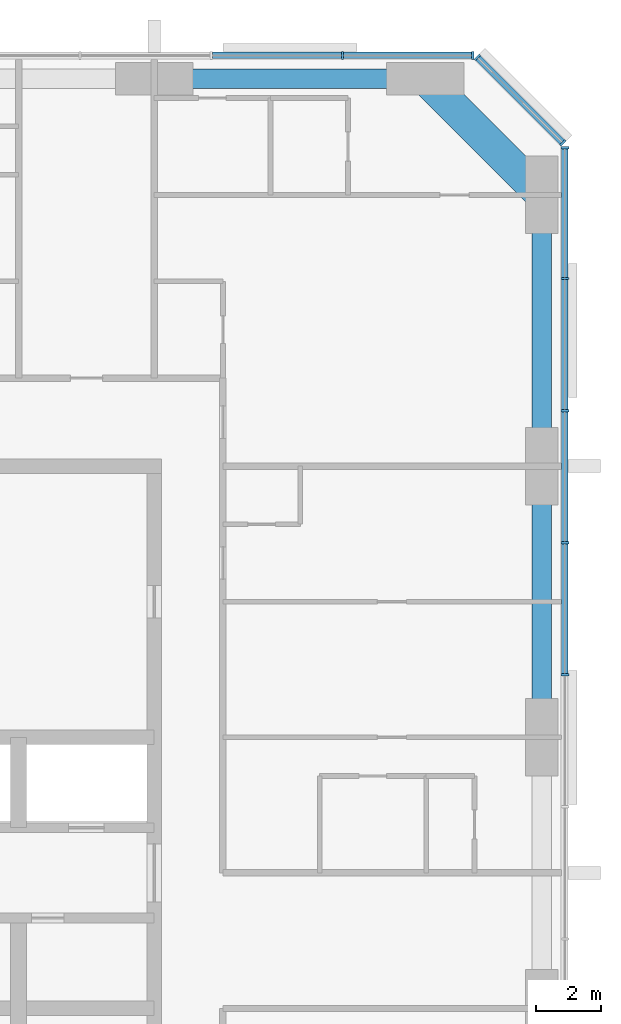
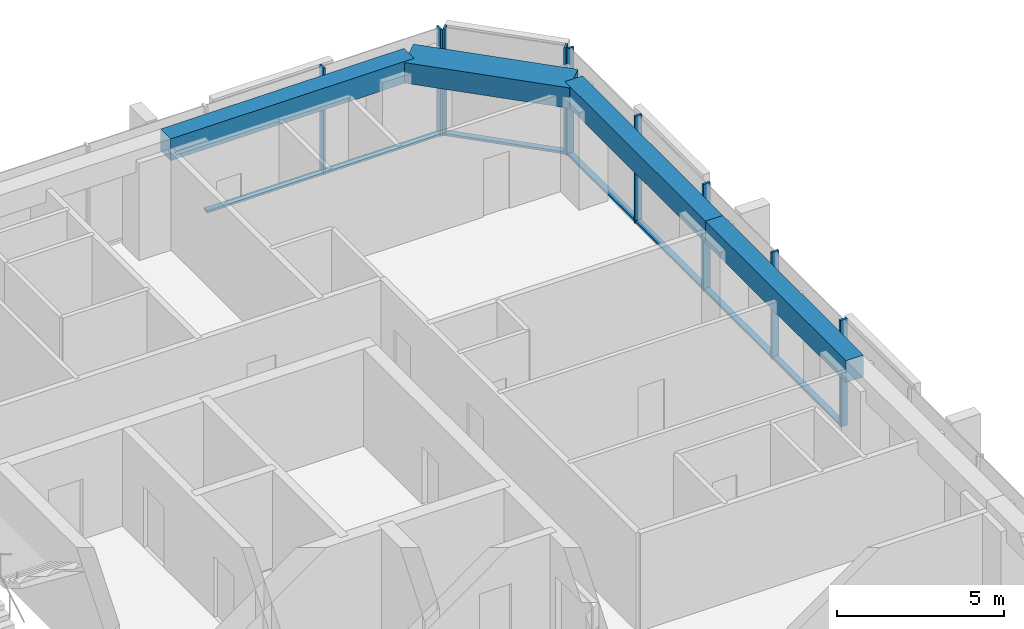
# One storey, part 5 of 12: 16 members, 4 beams, 3 elements without a shape of their own.
"""IFC4 building model written with IfcOpenShell, lengths in metres."""

from ifc_helpers import new_model, si_unit, direction, frame, origin, origin_2d, place, context, subcontext, project, spatial, rectangle, extrude, material, material_profile, profile_set, type_object, element, aggregate, save


model = new_model("IFC4")

# Units and contexts
model_context = context("Model", 3, precision=1e-05, world=origin(), true_north=direction((0.0, 1.0)))
body_context = subcontext(model_context, "Body", "Model", "MODEL_VIEW")
ifc_project = project(units=[si_unit("LENGTHUNIT", "METRE"), si_unit("AREAUNIT", "SQUARE_METRE"), si_unit("VOLUMEUNIT", "CUBIC_METRE"), si_unit("PLANEANGLEUNIT", "RADIAN"), si_unit("MASSUNIT", "GRAM", prefix="KILO")], contexts=[model_context])

# Site, building, storey
site_placement = place(None, origin())
site = spatial("IfcSite", under=ifc_project, at=site_placement, CompositionType="ELEMENT")
building_placement = place(site_placement, origin())
building = spatial("IfcBuilding", under=site, at=building_placement, Name="Dunama Terrace Hotel", CompositionType="ELEMENT")
storey_placement = place(building_placement, frame((0.0, 0.0, 245.10009765625)))
storey = spatial("IfcBuildingStorey", under=building, at=storey_placement, Name="L63", CompositionType="ELEMENT", Elevation=245.10009765625)

# Curtain wall, members
ifc_material_1 = material(Name="Aluminium curtain wall system", Category="aluminium")
curtain_wall_type = type_object("IfcCurtainWallType", Name="Unitised fritted glass wall CW-D", PredefinedType="NOTDEFINED", material=ifc_material_1)
curtain_wall_1_placement = place(storey_placement, origin())
curtain_wall_1 = element("IfcCurtainWall", 1, at=curtain_wall_1_placement, inside=storey, type_object=curtain_wall_type, Name="Unitised fritted glass wall CW-D L63", PredefinedType="NOTDEFINED")
ifc_material_2 = material(Name="Aluminium mullion", Category="aluminium")
ifc_material_profile_1 = material_profile(ifc_material_2, rectangle(XDim=0.070068359375, YDim=0.239990234375, at=origin_2d()), Name="CWD MULLION 70X240")
ifc_profile_set_1 = profile_set([ifc_material_profile_1], Name="Aluminium mullion")
member_type_1 = type_object("IfcMemberType", Name="CWD mullion 70x240", PredefinedType="MULLION", material=ifc_profile_set_1)
member_1_placement = place(storey_placement, frame((54.719970703125, 35.535888671875, 0.0), z_axis=(0.0, 0.0, 1.0), x_axis=(0.0, 1.0, 0.0)))
member_1 = element("IfcMember", 2, at=member_1_placement, type_object=member_type_1, Name="CWD mullion", PredefinedType="MULLION", context=body_context, shape_type="SweptSolid", body=[
    extrude(rectangle(XDim=0.070068359375, YDim=0.239990234375, at=origin_2d()), origin(), (0.0, 0.0, 1.0), 3.89990234375),
])
member_2_placement = place(storey_placement, frame((54.719970703125, 39.626953125, 0.0), z_axis=(0.0, 0.0, 1.0), x_axis=(0.0, 1.0, 0.0)))
member_2 = element("IfcMember", 3, at=member_2_placement, type_object=member_type_1, Name="CWD mullion", PredefinedType="MULLION", context=body_context, shape_type="SweptSolid", body=[
    extrude(rectangle(XDim=0.070068359375, YDim=0.239990234375, at=origin_2d()), origin(), (0.0, 0.0, 1.0), 3.89990234375),
])
member_3_placement = place(storey_placement, frame((54.719970703125, 43.718017578125, 0.0), z_axis=(0.0, 0.0, 1.0), x_axis=(0.0, 1.0, 0.0)))
member_3 = element("IfcMember", 4, at=member_3_placement, type_object=member_type_1, Name="CWD mullion", PredefinedType="MULLION", context=body_context, shape_type="SweptSolid", body=[
    extrude(rectangle(XDim=0.070068359375, YDim=0.239990234375, at=origin_2d()), origin(), (0.0, 0.0, 1.0), 3.89990234375),
])
member_4_placement = place(storey_placement, frame((54.719970703125, 47.80908203125, 0.0), z_axis=(0.0, 0.0, 1.0), x_axis=(0.0, 1.0, 0.0)))
member_4 = element("IfcMember", 5, at=member_4_placement, type_object=member_type_1, Name="CWD mullion", PredefinedType="MULLION", context=body_context, shape_type="SweptSolid", body=[
    extrude(rectangle(XDim=0.070068359375, YDim=0.239990234375, at=origin_2d()), origin(), (0.0, 0.0, 1.0), 3.89990234375),
])
member_5_placement = place(storey_placement, frame((54.719970703125, 51.864990234375, 0.0), z_axis=(0.0, 0.0, 1.0), x_axis=(0.0, 1.0, 0.0)))
member_5 = element("IfcMember", 6, at=member_5_placement, type_object=member_type_1, Name="CWD mullion", PredefinedType="MULLION", context=body_context, shape_type="SweptSolid", body=[
    extrude(rectangle(XDim=0.070068359375, YDim=0.239990234375, at=origin_2d()), origin(), (0.0, 0.0, 1.0), 3.89990234375),
])

curtain_wall_2_placement = place(storey_placement, origin())
curtain_wall_2 = element("IfcCurtainWall", 7, at=curtain_wall_2_placement, inside=storey, type_object=curtain_wall_type, Name="Unitised fritted glass wall CW-D L63", PredefinedType="NOTDEFINED")
member_6_placement = place(storey_placement, frame((54.659912109375, 52.010009765625, 0.0), z_axis=(0.0, 0.0, 1.0), x_axis=(-0.707106781187, 0.707106781187, 0.0)))
member_6 = element("IfcMember", 8, at=member_6_placement, type_object=member_type_1, Name="CWD mullion", PredefinedType="MULLION", context=body_context, shape_type="SweptSolid", body=[
    extrude(rectangle(XDim=0.070068359375, YDim=0.239990234375, at=origin_2d()), origin(), (0.0, 0.0, 1.0), 3.89990234375),
])
member_7_placement = place(storey_placement, frame((52.010009765625, 54.659912109375, 0.0), z_axis=(0.0, 0.0, 1.0), x_axis=(-0.707106781187, 0.707106781187, 0.0)))
member_7 = element("IfcMember", 9, at=member_7_placement, type_object=member_type_1, Name="CWD mullion", PredefinedType="MULLION", context=body_context, shape_type="SweptSolid", body=[
    extrude(rectangle(XDim=0.070068359375, YDim=0.239990234375, at=origin_2d()), origin(), (0.0, 0.0, 1.0), 3.89990234375),
])

curtain_wall_3_placement = place(storey_placement, origin())
curtain_wall_3 = element("IfcCurtainWall", 10, at=curtain_wall_3_placement, inside=storey, type_object=curtain_wall_type, Name="Unitised fritted glass wall CW-D L63", PredefinedType="NOTDEFINED")
member_8_placement = place(storey_placement, frame((51.864990234375, 54.719970703125, 0.0), z_axis=(0.0, 0.0, 1.0), x_axis=(-1.0, 0.0, 0.0)))
member_8 = element("IfcMember", 11, at=member_8_placement, type_object=member_type_1, Name="CWD mullion", PredefinedType="MULLION", context=body_context, shape_type="SweptSolid", body=[
    extrude(rectangle(XDim=0.070068359375, YDim=0.239990234375, at=origin_2d()), origin(), (0.0, 0.0, 1.0), 3.89990234375),
])
member_9_placement = place(storey_placement, frame((47.8330078125, 54.719970703125, 0.0), z_axis=(0.0, 0.0, 1.0), x_axis=(-1.0, 0.0, 0.0)))
member_9 = element("IfcMember", 12, at=member_9_placement, type_object=member_type_1, Name="CWD mullion", PredefinedType="MULLION", context=body_context, shape_type="SweptSolid", body=[
    extrude(rectangle(XDim=0.070068359375, YDim=0.239990234375, at=origin_2d()), origin(), (0.0, 0.0, 1.0), 3.89990234375),
])

# Member
ifc_material_3 = material(Name="Aluminium transom", Category="aluminium")
ifc_material_profile_2 = material_profile(ifc_material_3, rectangle(XDim=0.199951171875, YDim=0.0849609375, at=origin_2d()), Name="CWD TRANSOM 200X85")
ifc_profile_set_2 = profile_set([ifc_material_profile_2], Name="Aluminium transom")
member_type_2 = type_object("IfcMemberType", Name="CWD transom 200x85", PredefinedType="USERDEFINED", material=ifc_profile_set_2)
member_10_placement = place(storey_placement, frame((54.719970703125, 35.571044921875, 0.04248046875), z_axis=(0.0, 1.0, 0.0), x_axis=(-1.0, 0.0, 0.0)))
member_10 = element("IfcMember", 13, at=member_10_placement, type_object=member_type_2, Name="CWD transom", ObjectType="TRANSOM", PredefinedType="USERDEFINED", context=body_context, shape_type="SweptSolid", body=[
    extrude(rectangle(XDim=0.199951171875, YDim=0.0849609375, at=origin_2d()), origin(), (0.0, 0.0, 1.0), 4.02099609375),
])

member_11_placement = place(storey_placement, frame((54.719970703125, 39.662109375, 0.04248046875), z_axis=(0.0, 1.0, 0.0), x_axis=(-1.0, 0.0, 0.0)))
member_11 = element("IfcMember", 14, at=member_11_placement, type_object=member_type_2, Name="CWD transom", ObjectType="TRANSOM", PredefinedType="USERDEFINED", context=body_context, shape_type="SweptSolid", body=[
    extrude(rectangle(XDim=0.199951171875, YDim=0.0849609375, at=origin_2d()), origin(), (0.0, 0.0, 1.0), 4.02099609375),
])

member_12_placement = place(storey_placement, frame((54.719970703125, 43.7529296875, 0.04248046875), z_axis=(0.0, 1.0, 0.0), x_axis=(-1.0, 0.0, 0.0)))
member_12 = element("IfcMember", 15, at=member_12_placement, type_object=member_type_2, Name="CWD transom", ObjectType="TRANSOM", PredefinedType="USERDEFINED", context=body_context, shape_type="SweptSolid", body=[
    extrude(rectangle(XDim=0.199951171875, YDim=0.0849609375, at=origin_2d()), origin(), (0.0, 0.0, 1.0), 4.02099609375),
])

member_13_placement = place(storey_placement, frame((54.719970703125, 47.843994140625, 0.04248046875), z_axis=(0.0, 1.0, 0.0), x_axis=(-1.0, 0.0, 0.0)))
member_13 = element("IfcMember", 16, at=member_13_placement, type_object=member_type_2, Name="CWD transom", ObjectType="TRANSOM", PredefinedType="USERDEFINED", context=body_context, shape_type="SweptSolid", body=[
    extrude(rectangle(XDim=0.199951171875, YDim=0.0849609375, at=origin_2d()), origin(), (0.0, 0.0, 1.0), 3.986083984375),
])

aggregate(curtain_wall_1, [member_1, member_2, member_3, member_4, member_5, member_10, member_11, member_12, member_13])

member_14_placement = place(storey_placement, frame((54.635009765625, 52.033935546875, 0.04248046875), z_axis=(-0.707106781187, 0.707106781187, 0.0), x_axis=(-0.707106781187, -0.707106781187, 0.0)))
member_14 = element("IfcMember", 17, at=member_14_placement, type_object=member_type_2, Name="CWD transom", ObjectType="TRANSOM", PredefinedType="USERDEFINED", context=body_context, shape_type="SweptSolid", body=[
    extrude(rectangle(XDim=0.199951171875, YDim=0.0849609375, at=origin_2d()), origin(), (0.0, 0.0, 1.0), 3.678466796875),
])

aggregate(curtain_wall_2, [member_6, member_7, member_14])

member_15_placement = place(storey_placement, frame((51.830078125, 54.719970703125, 0.04248046875), z_axis=(-1.0, 0.0, 0.0), x_axis=(0.0, -1.0, 0.0)))
member_15 = element("IfcMember", 18, at=member_15_placement, type_object=member_type_2, Name="CWD transom", ObjectType="TRANSOM", PredefinedType="USERDEFINED", context=body_context, shape_type="SweptSolid", body=[
    extrude(rectangle(XDim=0.199951171875, YDim=0.0849609375, at=origin_2d()), origin(), (0.0, 0.0, 1.0), 3.962158203125),
])

member_16_placement = place(storey_placement, frame((47.798095703125, 54.719970703125, 0.04248046875), z_axis=(-1.0, 0.0, 0.0), x_axis=(0.0, -1.0, 0.0)))
member_16 = element("IfcMember", 19, at=member_16_placement, type_object=member_type_2, Name="CWD transom", ObjectType="TRANSOM", PredefinedType="USERDEFINED", context=body_context, shape_type="SweptSolid", body=[
    extrude(rectangle(XDim=0.199951171875, YDim=0.0849609375, at=origin_2d()), origin(), (0.0, 0.0, 1.0), 3.99609375),
])

aggregate(curtain_wall_3, [member_8, member_9, member_15, member_16])

# Beams
ifc_material_4 = material(Name="Concrete C50/60", Category="concrete")
ifc_material_profile_3 = material_profile(ifc_material_4, rectangle(XDim=1.0, YDim=0.75, at=origin_2d()), Name="RC 1000x750")
ifc_profile_set_3 = profile_set([ifc_material_profile_3], Name="Concrete C50/60")
beam_type_1 = type_object("IfcBeamType", Name="Edge beam RC 1000x750", PredefinedType="SPANDREL", material=ifc_profile_set_3)
beam_placement = place(storey_placement, frame((50.39990234375, 54.0, 3.52490234375), z_axis=(0.707106781187, -0.707106781187, 0.0), x_axis=(0.707106781187, 0.707106781187, 0.0)))
element("IfcBeam", 20, at=beam_placement, inside=storey, type_object=beam_type_1, Name="Corner edge beam under L64", PredefinedType="SPANDREL", context=body_context, shape_type="SweptSolid", body=[
    extrude(rectangle(XDim=1.0, YDim=0.75, at=origin_2d()), origin(), (0.0, 0.0, 1.0), 5.09130859375),
])
ifc_material_5 = material(Name="Concrete C40/50", Category="concrete")
ifc_material_profile_4 = material_profile(ifc_material_5, rectangle(XDim=0.60009765625, YDim=0.800048828125, at=origin_2d()), Name="RC 600x800")
ifc_profile_set_4 = profile_set([ifc_material_profile_4], Name="Concrete C40/50")
beam_type_2 = type_object("IfcBeamType", Name="Edge beam RC 600x800", PredefinedType="SPANDREL", material=ifc_profile_set_4)
for number, where, z_axis, x_axis, name in (
    (21, (54.0, 33.60009765625, 3.5), (0.0, 1.0, 0.0), (-1.0, 0.0, 0.0), "Edge beam under L64"),
    (22, (54.0, 42.0, 3.5), (0.0, 1.0, 0.0), (-1.0, 0.0, 0.0), "Edge beam under L64"),
    (23, (42.0, 54.0, 3.5), (1.0, 0.0, 0.0), (0.0, 1.0, 0.0), "Edge beam under L64"),
):
    element("IfcBeam", number, at=place(storey_placement, frame(where, z_axis=z_axis, x_axis=x_axis)), inside=storey, type_object=beam_type_2, Name=name, PredefinedType="SPANDREL", context=body_context, shape_type="SweptSolid", body=[
        extrude(rectangle(XDim=0.60009765625, YDim=0.800048828125, at=origin_2d()), origin(), (0.0, 0.0, 1.0), 8.39990234375),
    ])

save(model, "model.ifc")
